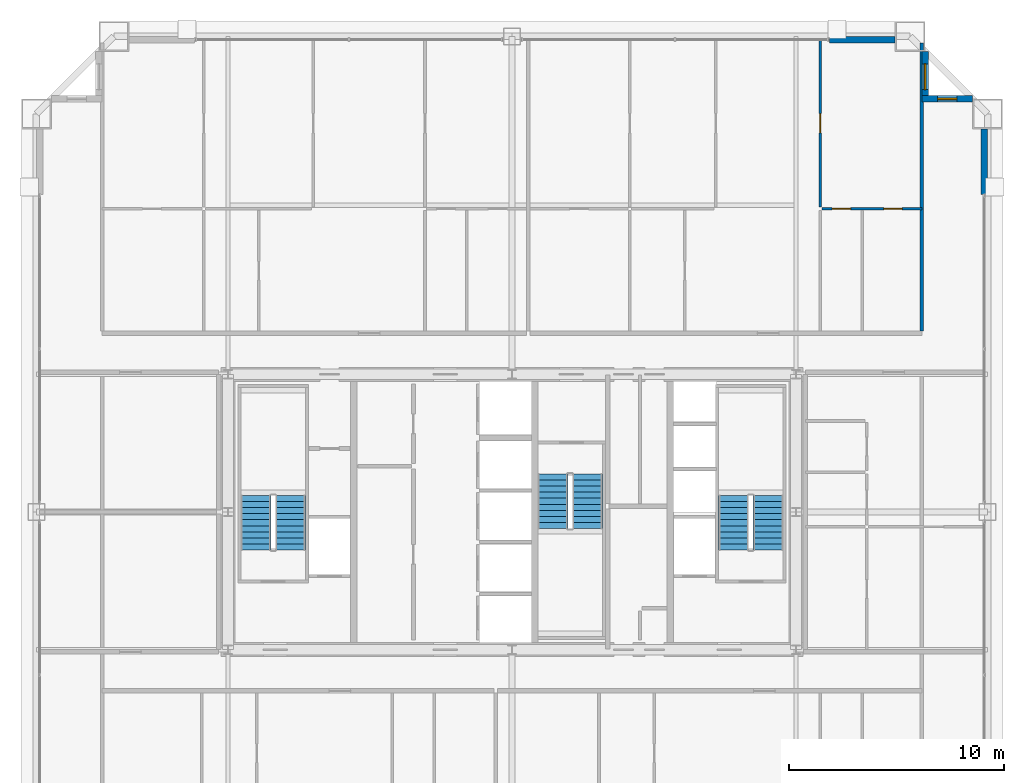
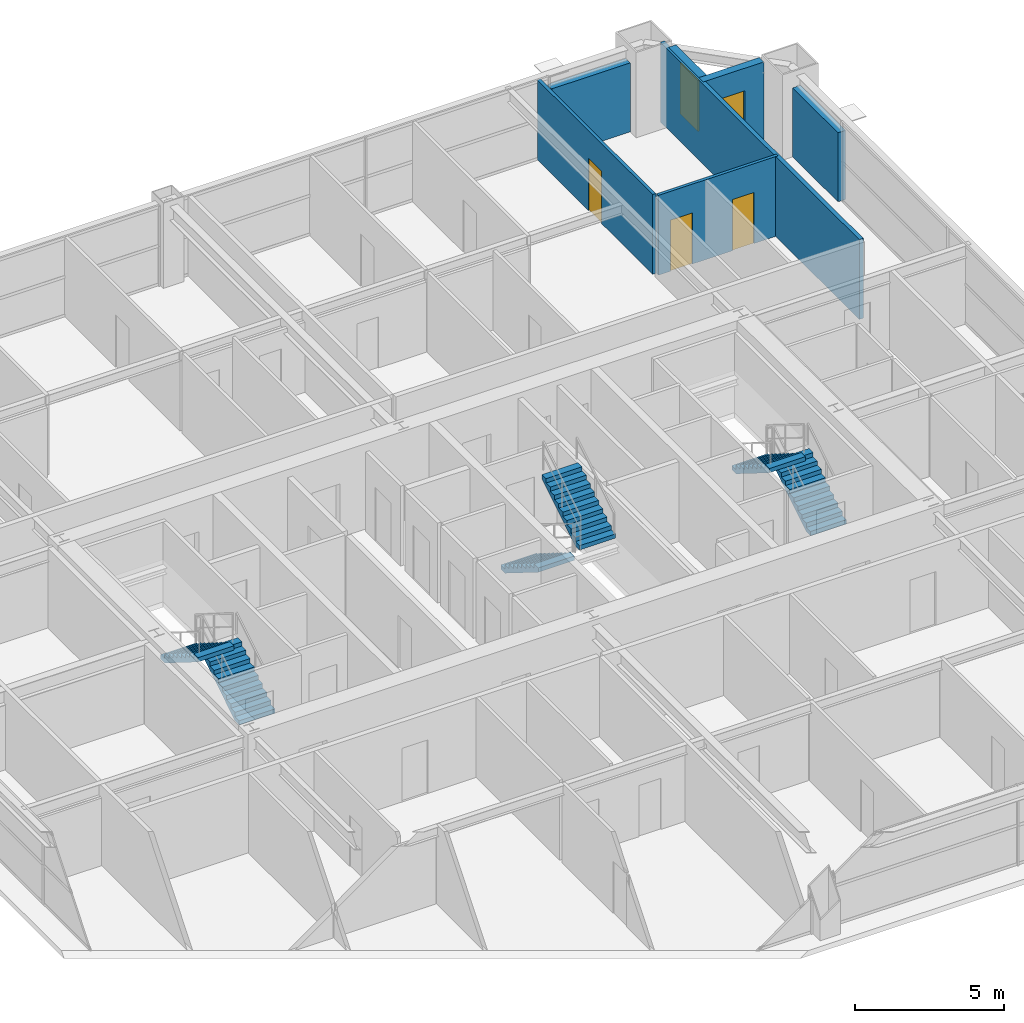
# One storey, part 37 of 38: 7 walls, 6 stair flights, 3 doors, 2 windows, 5 openings, 3 elements without a shape of their own.
"""IFC4 building model written with IfcOpenShell, lengths in metres."""

from ifc_helpers import new_model, si_unit, direction, frame, frame_2d, origin, place, context, subcontext, project, spatial, polyline, rectangle, outline, extrude, source, transform, mapped, material, layer, layer_set, type_object, element, fill, aggregate, save


model = new_model("IFC4")

# Units and contexts
model_context = context("Model", 3, precision=1e-05, world=origin(), true_north=direction((0.0, 1.0)))
body_context = subcontext(model_context, "Body", "Model", "MODEL_VIEW")
ifc_project = project(units=[si_unit("LENGTHUNIT", "METRE"), si_unit("AREAUNIT", "SQUARE_METRE"), si_unit("VOLUMEUNIT", "CUBIC_METRE"), si_unit("PLANEANGLEUNIT", "RADIAN"), si_unit("MASSUNIT", "GRAM", prefix="KILO"), si_unit("THERMODYNAMICTEMPERATUREUNIT", "KELVIN"), si_unit("POWERUNIT", "WATT")], contexts=[model_context])

# Site, building, storey
site_placement = place(None, origin())
site = spatial("IfcSite", under=ifc_project, at=site_placement, CompositionType="ELEMENT")
building_placement = place(site_placement, origin())
building = spatial("IfcBuilding", under=site, at=building_placement, Name="Yuzanri Waterfront Tower", CompositionType="ELEMENT")
storey_placement = place(building_placement, frame((0.0, 0.0, 195.0)))
storey = spatial("IfcBuildingStorey", under=building, at=storey_placement, Name="L51", CompositionType="ELEMENT", Elevation=195.0)

# Wall, openings, doors
ifc_material_1 = material(Name="Moisture-Resistant Gypsum Stud Wall", Category="gypsum")
ifc_layer_1 = layer(ifc_material_1, 0.1201171875)
ifc_layer_set_1 = layer_set([ifc_layer_1], Name="Moisture-Resistant Gypsum Stud Wall")
wall_type_1 = type_object("IfcWallType", Name="Bathroom and Kitchen Wet Partition 120", PredefinedType="PARTITIONING", material=ifc_layer_set_1)
wall_1_placement = place(storey_placement, frame((51.4130859375, 39.89990234375, 0.0), z_axis=(0.0, 0.0, 1.0), x_axis=(1.0, 0.0, 0.0)))
wall_1 = element("IfcWall", 1, at=wall_1_placement, inside=storey, type_object=wall_type_1, Name="L51 Partition UW-L51-RN2-SUB-6-S", PredefinedType="PARTITIONING", context=body_context, shape_type="SweptSolid", body=[
    extrude(rectangle(XDim=4.64697265625, YDim=0.1201171875, at=frame_2d((2.323486328125, 0.0))), origin(), (0.0, 0.0, 1.0), 3.280029296875),
])
opening_1_placement = place(wall_1_placement, frame((2.8720703125, 0.0, 0.0)))
opening_1 = element("IfcOpeningElement", 2, at=opening_1_placement, cuts=wall_1, Name="Opening ID-0850", PredefinedType="OPENING", context=body_context, shape_type="SweptSolid", body=[
    extrude(rectangle(XDim=0.85009765625, YDim=2.10009765625, at=frame_2d((0.425048828125, 1.050048828125))), frame((0.0, 0.074951171875, 0.0), z_axis=(0.0, -1.0, 0.0), x_axis=(1.0, 0.0, 0.0)), (0.0, 0.0, 1.0), 0.14990234375),
])
opening_2_placement = place(wall_1_placement, frame((0.468505859375, 0.0, 0.0)))
opening_2 = element("IfcOpeningElement", 3, at=opening_2_placement, cuts=wall_1, Name="Opening ID-0850", PredefinedType="OPENING", context=body_context, shape_type="SweptSolid", body=[
    extrude(rectangle(XDim=0.85009765625, YDim=2.10009765625, at=frame_2d((0.425048828125, 1.050048828125))), frame((0.0, 0.074951171875, 0.0), z_axis=(0.0, -1.0, 0.0), x_axis=(1.0, 0.0, 0.0)), (0.0, 0.0, 1.0), 0.14990234375),
])
ifc_material_2 = material(Name="Moisture-Resistant Lacquered Timber", Category="wood")
door_type_1 = type_object("IfcDoorType", Name="En-Suite Bathroom and Kitchen Swing Door 850x2100", OperationType="NOTDEFINED", PredefinedType="DOOR", material=ifc_material_2)
shared_shape_1 = source(origin(), body_context, "Body", "SweptSolid", [
    extrude(rectangle(XDim=0.85009765625, YDim=2.10009765625, at=frame_2d((0.425048828125, 1.050048828125))), frame((0.0, 0.02490234375, 0.0), z_axis=(0.0, -1.0, 0.0), x_axis=(1.0, 0.0, 0.0)), (0.0, 0.0, 1.0), 0.050048828125),
])
door_1_placement = place(opening_1_placement, origin())
door_1 = element("IfcDoor", 4, at=door_1_placement, inside=storey, type_object=door_type_1, Name="L51 Suite Interior Room Door", OperationType="SINGLE_SWING_RIGHT", OverallHeight=2.10009765625, OverallWidth=0.85009765625, PredefinedType="DOOR", context=body_context, shape_type="MappedRepresentation", body=[
    mapped(shared_shape_1, transform((0.0, 0.0, 0.0), scale=1.0)),
])
fill(opening_1, door_1)
door_2_placement = place(opening_2_placement, origin())
door_2 = element("IfcDoor", 5, at=door_2_placement, inside=storey, type_object=door_type_1, Name="L51 Suite Interior Room Door", OperationType="SINGLE_SWING_LEFT", OverallHeight=2.10009765625, OverallWidth=0.85009765625, PredefinedType="DOOR", context=body_context, shape_type="MappedRepresentation", body=[
    mapped(shared_shape_1, transform((0.0, 0.0, 0.0), scale=1.0)),
])
fill(opening_2, door_2)

# Wall, opening, door
wall_2_placement = place(storey_placement, frame((51.3330078125, 39.97998046875, 0.0), z_axis=(0.0, 0.0, 1.0), x_axis=(0.0, 1.0, 0.0)))
wall_2 = element("IfcWall", 6, at=wall_2_placement, inside=storey, type_object=wall_type_1, Name="L51 Partition UW-L51-RN2-SUB-6-W", PredefinedType="PARTITIONING", context=body_context, shape_type="SweptSolid", body=[
    extrude(rectangle(XDim=7.77001953125, YDim=0.1201171875, at=frame_2d((3.885009765625, 0.0))), origin(), (0.0, 0.0, 1.0), 3.280029296875),
])
opening_3_placement = place(wall_2_placement, frame((3.43505859375, 0.0, 0.0)))
opening_3 = element("IfcOpeningElement", 7, at=opening_3_placement, cuts=wall_2, Name="Opening ID-0900", PredefinedType="OPENING", context=body_context, shape_type="SweptSolid", body=[
    extrude(rectangle(XDim=0.89990234375, YDim=2.14990234375, at=frame_2d((0.449951171875, 1.074951171875))), frame((0.0, 0.074951171875, 0.0), z_axis=(0.0, -1.0, 0.0), x_axis=(1.0, 0.0, 0.0)), (0.0, 0.0, 1.0), 0.14990234375),
])
ifc_material_3 = material(Name="Stained Walnut Veneer Timber", Category="wood")
door_type_2 = type_object("IfcDoorType", Name="Bedroom and Study Interior Swing Door 900x2150", OperationType="NOTDEFINED", PredefinedType="DOOR", material=ifc_material_3)
shared_shape_2 = source(origin(), body_context, "Body", "SweptSolid", [
    extrude(rectangle(XDim=0.89990234375, YDim=2.14990234375, at=frame_2d((0.449951171875, 1.074951171875))), frame((0.0, 0.02490234375, 0.0), z_axis=(0.0, -1.0, 0.0), x_axis=(1.0, 0.0, 0.0)), (0.0, 0.0, 1.0), 0.050048828125),
])
door_3_placement = place(opening_3_placement, origin())
door_3 = element("IfcDoor", 8, at=door_3_placement, inside=storey, type_object=door_type_2, Name="L51 Suite Interior Room Door", OperationType="SINGLE_SWING_LEFT", OverallHeight=2.14990234375, OverallWidth=0.89990234375, PredefinedType="DOOR", context=body_context, shape_type="MappedRepresentation", body=[
    mapped(shared_shape_2, transform((0.0, 0.0, 0.0), scale=1.0)),
])
fill(opening_3, door_3)

# Wall, opening, window
ifc_material_4 = material(Name="Honed Chongqing Dark Basalt Stone", Category="masonry")
ifc_layer_2 = layer(ifc_material_4, 0.300048828125)
ifc_layer_set_2 = layer_set([ifc_layer_2], Name="Honed Chongqing Dark Basalt Stone")
wall_type_2 = type_object("IfcWallType", Name="Bronze Rainscreen Insulated Spandrel Portal Wall 300", PredefinedType="SOLIDWALL", material=ifc_layer_set_2)
wall_3_placement = place(storey_placement, frame((58.39990234375, 45.0, 0.0), z_axis=(0.0, 0.0, 1.0), x_axis=(-1.0, 0.0, 0.0)))
wall_3 = element("IfcWall", 9, at=wall_3_placement, inside=storey, type_object=wall_type_2, Name="L51 Notched Corner Masonry Wall NE-X", PredefinedType="SOLIDWALL", context=body_context, shape_type="SweptSolid", body=[
    extrude(rectangle(XDim=2.349853515625, YDim=0.300048828125, at=frame_2d((1.1748046875, 0.0))), origin(), (0.0, 0.0, 1.0), 3.280029296875),
])
opening_4_placement = place(wall_3_placement, frame((0.72509765625, 0.0, 0.85009765625)))
opening_4 = element("IfcOpeningElement", 10, at=opening_4_placement, cuts=wall_3, Name="Opening WN-05", PredefinedType="OPENING", context=body_context, shape_type="SweptSolid", body=[
    extrude(rectangle(XDim=0.89990234375, YDim=1.5, at=frame_2d((0.449951171875, 0.75))), frame((0.0, 0.1650390625, 0.0), z_axis=(0.0, -1.0, 0.0), x_axis=(1.0, 0.0, 0.0)), (0.0, 0.0, 1.0), 0.329833984375),
])
ifc_material_5 = material(Name="Double-Silver Low-E Insulated Glass", Category="glass")
window_type_1 = type_object("IfcWindowType", Name="Anodized Bronze Service and Stairwell Smoke-Vent Window 900x1500", PartitioningType="SINGLE_PANEL", PredefinedType="WINDOW", material=ifc_material_5)
shared_shape_3 = source(origin(), body_context, "Body", "SweptSolid", [
    extrude(rectangle(XDim=0.89990234375, YDim=1.5, at=frame_2d((0.449951171875, 0.75))), frame((0.0, 0.030029296875, 0.0), z_axis=(0.0, -1.0, 0.0), x_axis=(1.0, 0.0, 0.0)), (0.0, 0.0, 1.0), 0.06005859375),
])
window_1_placement = place(opening_4_placement, origin())
window_1 = element("IfcWindow", 11, at=window_1_placement, inside=storey, type_object=window_type_1, Name="L51 Notched Corner Window NE-X", OverallHeight=1.5, OverallWidth=0.89990234375, PartitioningType="SINGLE_PANEL", PredefinedType="WINDOW", context=body_context, shape_type="MappedRepresentation", body=[
    mapped(shared_shape_3, transform((0.0, 0.0, 0.0), scale=1.0)),
])
fill(opening_4, window_1)

wall_4_placement = place(storey_placement, frame((56.199951171875, 44.85009765625, 0.0), z_axis=(0.0, 0.0, 1.0), x_axis=(0.0, 1.0, 0.0)))
wall_4 = element("IfcWall", 12, at=wall_4_placement, inside=storey, type_object=wall_type_2, Name="L51 Notched Corner Masonry Wall NE-Y", PredefinedType="SOLIDWALL", context=body_context, shape_type="SweptSolid", body=[
    extrude(rectangle(XDim=2.349853515625, YDim=0.300048828125, at=frame_2d((1.1748046875, 0.0))), origin(), (0.0, 0.0, 1.0), 3.280029296875),
])
opening_5_placement = place(wall_4_placement, frame((0.574951171875, 0.0, 0.85009765625)))
opening_5 = element("IfcOpeningElement", 13, at=opening_5_placement, cuts=wall_4, Name="Opening WN-02", PredefinedType="OPENING", context=body_context, shape_type="SweptSolid", body=[
    extrude(rectangle(XDim=1.199951171875, YDim=2.10009765625, at=frame_2d((0.60009765625, 1.050048828125))), frame((0.0, 0.1650390625, 0.0), z_axis=(0.0, -1.0, 0.0), x_axis=(1.0, 0.0, 0.0)), (0.0, 0.0, 1.0), 0.329833984375),
])
ifc_material_6 = material(Name="Double-Silver Low-E Insulated Glass", Category="glass")
window_type_2 = type_object("IfcWindowType", Name="Anodized Bronze Notched Corner Deep-Set Slot Window 1200x2100", PartitioningType="SINGLE_PANEL", PredefinedType="WINDOW", material=ifc_material_6)
shared_shape_4 = source(origin(), body_context, "Body", "SweptSolid", [
    extrude(rectangle(XDim=1.199951171875, YDim=2.10009765625, at=frame_2d((0.60009765625, 1.050048828125))), frame((0.0, 0.030029296875, 0.0), z_axis=(0.0, -1.0, 0.0), x_axis=(1.0, 0.0, 0.0)), (0.0, 0.0, 1.0), 0.06005859375),
])
window_2_placement = place(opening_5_placement, origin())
window_2 = element("IfcWindow", 14, at=window_2_placement, inside=storey, type_object=window_type_2, Name="L51 Notched Corner Window NE-Y", OverallHeight=2.10009765625, OverallWidth=1.199951171875, PartitioningType="SINGLE_PANEL", PredefinedType="WINDOW", context=body_context, shape_type="MappedRepresentation", body=[
    mapped(shared_shape_4, transform((0.0, 0.0, 0.0), scale=1.0)),
])
fill(opening_5, window_2)

# Walls
shared_shape_5 = source(origin(), body_context, "Body", "SweptSolid", [
    extrude(rectangle(XDim=3.050048828125, YDim=0.300048828125, at=frame_2d((1.52490234375, 0.0))), origin(), (0.0, 0.0, 1.0), 2.8349609375),
])
for number, where, z_axis, x_axis, name in (
    (15, (51.75, 47.75, 0.0), (0.0, 0.0, 1.0), (1.0, 0.0, 0.0), "L51 N Right Braced Masonry Shoulder"),
    (16, (58.949951171875, 40.550048828125, 0.0), (0.0, 0.0, 1.0), (0.0, 1.0, 0.0), "L51 E Right Braced Masonry Shoulder"),
):
    element("IfcWall", number, at=place(storey_placement, frame(where, z_axis=z_axis, x_axis=x_axis)), inside=storey, type_object=wall_type_2, Name=name, PredefinedType="SOLIDWALL", context=body_context, shape_type="MappedRepresentation", body=[
        mapped(shared_shape_5, transform((0.0, 0.0, 0.0), scale=1.0)),
    ])
ifc_material_7 = material(Name="Gypsum Fireboard Acoustic Stud Wall", Category="gypsum")
ifc_layer_3 = layer(ifc_material_7, 0.159912109375)
ifc_layer_set_3 = layer_set([ifc_layer_3], Name="Gypsum Fireboard Acoustic Stud Wall")
wall_type_3 = type_object("IfcWallType", Name="Acoustic Suite Demising Partition 160", PredefinedType="PARTITIONING", material=ifc_layer_set_3)
shared_shape_6 = source(origin(), body_context, "Body", "SweptSolid", [
    extrude(rectangle(XDim=13.39013671875, YDim=0.159912109375, at=frame_2d((6.695068359375, 0.0))), origin(), (0.0, 0.0, 1.0), 3.280029296875),
])
wall_5_placement = place(storey_placement, frame((56.050048828125, 34.2099609375, 0.0), z_axis=(0.0, 0.0, 1.0), x_axis=(0.0, 1.0, 0.0)))
element("IfcWall", 17, at=wall_5_placement, inside=storey, type_object=wall_type_3, Name="L51 North Band East End Wall", PredefinedType="PARTITIONING", context=body_context, shape_type="MappedRepresentation", body=[
    mapped(shared_shape_6, transform((0.0, 0.0, 0.0), scale=1.0)),
])

# Stair, stair flights
ifc_material_8 = material(Name="Concrete C40", Category="concrete")
stair_type = type_object("IfcStairType", Name="Concrete C40 Core Dogleg Exit Stair", PredefinedType="HALF_TURN_STAIR", material=ifc_material_8)
stair_1_placement = place(storey_placement, origin())
stair_1 = element("IfcStair", 18, at=stair_1_placement, inside=storey, type_object=stair_type, Name="L51 Smoke-Proof Core Stair ST-01", PredefinedType="HALF_TURN_STAIR")
ifc_material_9 = material(Name="Concrete C40", Category="concrete")
stair_flight_type = type_object("IfcStairFlightType", Name="Concrete C40 Precast Stair Flight 1380", PredefinedType="STRAIGHT", material=ifc_material_9)
shared_shape_7 = source(origin(), body_context, "Body", "SweptSolid", [
    extrude(outline(polyline([(0.0, 0.0), (0.0, 0.175048828125), (0.280029296875, 0.175048828125), (0.280029296875, 0.35009765625), (0.56005859375, 0.35009765625), (0.56005859375, 0.52490234375), (0.840087890625, 0.52490234375), (0.840087890625, 0.699951171875), (1.1201171875, 0.699951171875), (1.1201171875, 0.875), (1.39990234375, 0.875), (1.39990234375, 1.050048828125), (1.679931640625, 1.050048828125), (1.679931640625, 1.22509765625), (1.9599609375, 1.22509765625), (1.9599609375, 1.39990234375), (2.239990234375, 1.39990234375), (2.239990234375, 1.574951171875), (2.52001953125, 1.574951171875), (2.52001953125, 1.75), (2.52001953125, 1.398193359375), (0.28271484375, 0.0), (0.0, 0.0)])), frame((0.0, 0.699951171875, 0.0), z_axis=(0.0, -1.0, 0.0), x_axis=(1.0, 0.0, 0.0)), (0.0, 0.0, 1.0), 1.39990234375),
])
stair_flight_1_placement = place(storey_placement, frame((26.699951171875, 24.0400390625, 0.0), z_axis=(0.0, 0.0, 1.0), x_axis=(0.0, 1.0, 0.0)))
stair_flight_1 = element("IfcStairFlight", 19, at=stair_flight_1_placement, type_object=stair_flight_type, Name="ST-01 flight 1", NumberOfRisers=10, NumberOfTreads=9, PredefinedType="STRAIGHT", RiserHeight=0.175, TreadLength=0.28, context=body_context, shape_type="MappedRepresentation", body=[
    mapped(shared_shape_7, transform((0.0, 0.0, 0.0), scale=1.0)),
])
stair_flight_2_placement = place(storey_placement, frame((25.10009765625, 26.56005859375, 1.75), z_axis=(0.0, 0.0, 1.0), x_axis=(0.0, -1.0, 0.0)))
stair_flight_2 = element("IfcStairFlight", 20, at=stair_flight_2_placement, type_object=stair_flight_type, Name="ST-01 flight 2", NumberOfRisers=10, NumberOfTreads=9, PredefinedType="STRAIGHT", RiserHeight=0.175, TreadLength=0.28, context=body_context, shape_type="MappedRepresentation", body=[
    mapped(shared_shape_7, transform((0.0, 0.0, 0.0), scale=1.0)),
])
aggregate(stair_1, [stair_flight_1, stair_flight_2])

stair_2_placement = place(storey_placement, origin())
stair_2 = element("IfcStair", 21, at=stair_2_placement, inside=storey, type_object=stair_type, Name="L51 Smoke-Proof Core Stair ST-02", PredefinedType="HALF_TURN_STAIR")
stair_flight_3_placement = place(storey_placement, frame((48.89990234375, 24.0400390625, 0.0), z_axis=(0.0, 0.0, 1.0), x_axis=(0.0, 1.0, 0.0)))
stair_flight_3 = element("IfcStairFlight", 22, at=stair_flight_3_placement, type_object=stair_flight_type, Name="ST-02 flight 1", NumberOfRisers=10, NumberOfTreads=9, PredefinedType="STRAIGHT", RiserHeight=0.175, TreadLength=0.28, context=body_context, shape_type="MappedRepresentation", body=[
    mapped(shared_shape_7, transform((0.0, 0.0, 0.0), scale=1.0)),
])
stair_flight_4_placement = place(storey_placement, frame((47.300048828125, 26.56005859375, 1.75), z_axis=(0.0, 0.0, 1.0), x_axis=(0.0, -1.0, 0.0)))
stair_flight_4 = element("IfcStairFlight", 23, at=stair_flight_4_placement, type_object=stair_flight_type, Name="ST-02 flight 2", NumberOfRisers=10, NumberOfTreads=9, PredefinedType="STRAIGHT", RiserHeight=0.175, TreadLength=0.28, context=body_context, shape_type="MappedRepresentation", body=[
    mapped(shared_shape_7, transform((0.0, 0.0, 0.0), scale=1.0)),
])
aggregate(stair_2, [stair_flight_3, stair_flight_4])

stair_3_placement = place(storey_placement, origin())
stair_3 = element("IfcStair", 24, at=stair_3_placement, inside=storey, type_object=stair_type, Name="L51 Smoke-Proof Core Stair ST-03", PredefinedType="HALF_TURN_STAIR")
stair_flight_5_placement = place(storey_placement, frame((38.89990234375, 27.56005859375, 0.0), z_axis=(0.0, 0.0, 1.0), x_axis=(0.0, -1.0, 0.0)))
stair_flight_5 = element("IfcStairFlight", 25, at=stair_flight_5_placement, type_object=stair_flight_type, Name="ST-03 flight 1", NumberOfRisers=10, NumberOfTreads=9, PredefinedType="STRAIGHT", RiserHeight=0.175, TreadLength=0.28, context=body_context, shape_type="MappedRepresentation", body=[
    mapped(shared_shape_7, transform((0.0, 0.0, 0.0), scale=1.0)),
])
stair_flight_6_placement = place(storey_placement, frame((40.5, 25.0400390625, 1.75), z_axis=(0.0, 0.0, 1.0), x_axis=(0.0, 1.0, 0.0)))
stair_flight_6 = element("IfcStairFlight", 26, at=stair_flight_6_placement, type_object=stair_flight_type, Name="ST-03 flight 2", NumberOfRisers=10, NumberOfTreads=9, PredefinedType="STRAIGHT", RiserHeight=0.175, TreadLength=0.28, context=body_context, shape_type="MappedRepresentation", body=[
    mapped(shared_shape_7, transform((0.0, 0.0, 0.0), scale=1.0)),
])
aggregate(stair_3, [stair_flight_5, stair_flight_6])

save(model, "model.ifc")
